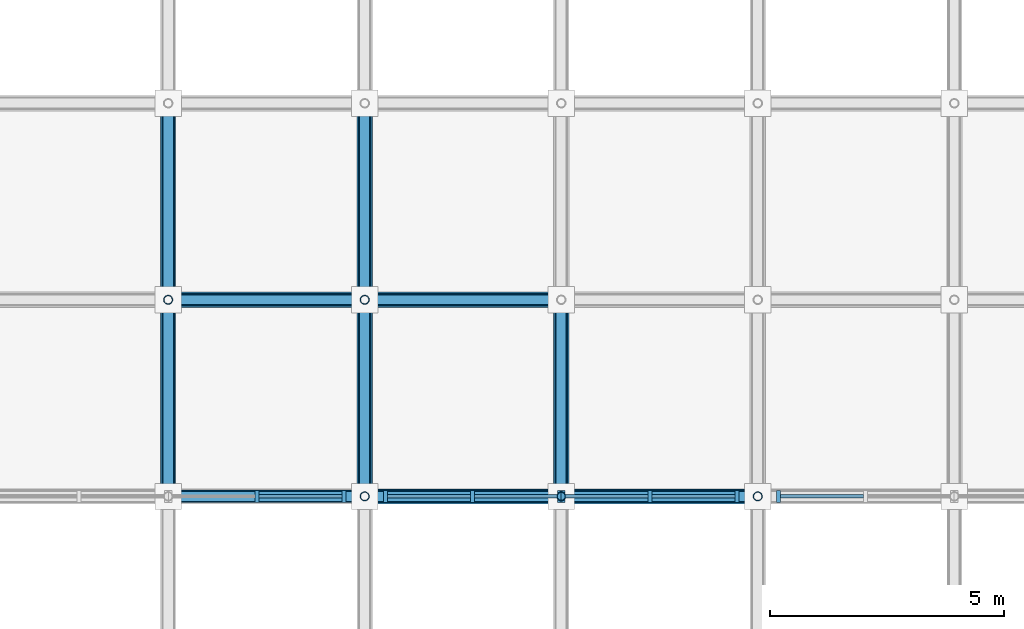
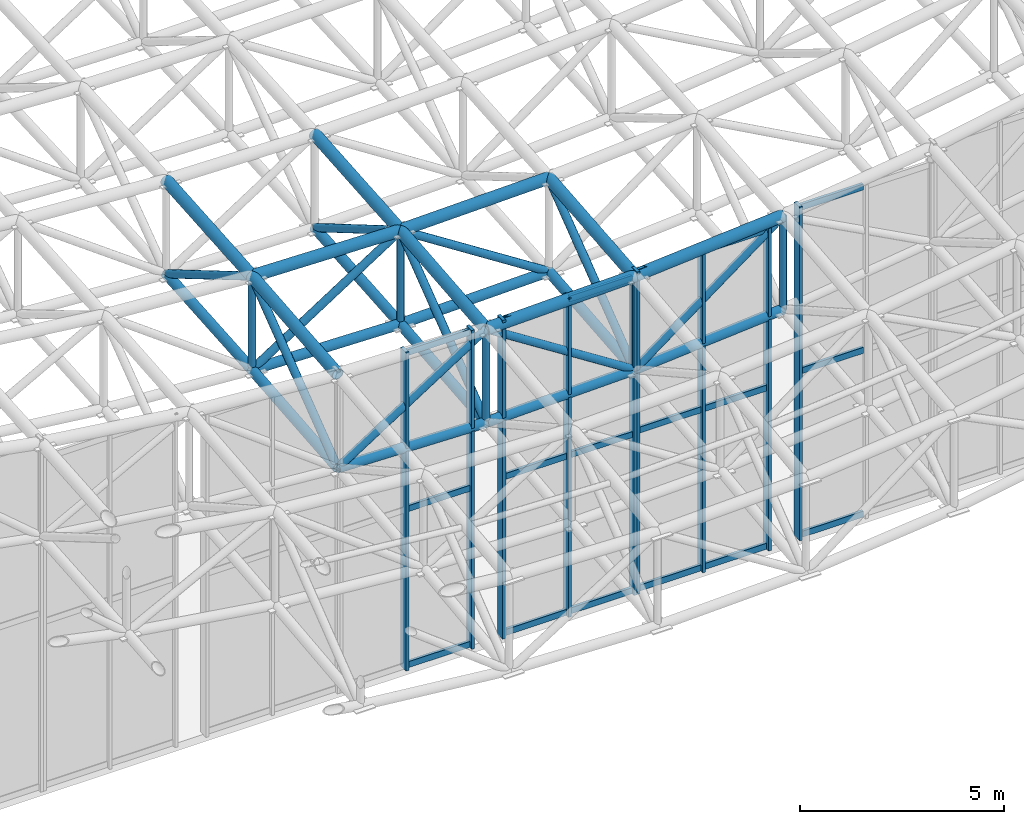
# One storey, part 14 of 93: 61 members, 4 elements without a shape of their own.
"""IFC4 building model written with IfcOpenShell, lengths in metres."""

from ifc_helpers import new_model, si_unit, direction, frame, origin, origin_2d, place, context, subcontext, project, spatial, rectangle, hollow_circle, extrude, material, material_profile, profile_set, type_object, element, aggregate, save


model = new_model("IFC4")

# Units and contexts
model_context = context("Model", 3, precision=1e-05, world=origin(), true_north=direction((0.0, 1.0)))
body_context = subcontext(model_context, "Body", "Model", "MODEL_VIEW")
ifc_project = project(units=[si_unit("LENGTHUNIT", "METRE"), si_unit("AREAUNIT", "SQUARE_METRE"), si_unit("VOLUMEUNIT", "CUBIC_METRE"), si_unit("PLANEANGLEUNIT", "RADIAN"), si_unit("MASSUNIT", "GRAM", prefix="KILO")], contexts=[model_context])

# Site, building, storey
site_placement = place(None, origin())
site = spatial("IfcSite", under=ifc_project, at=site_placement, CompositionType="ELEMENT")
building_placement = place(site_placement, origin())
building = spatial("IfcBuilding", under=site, at=building_placement, Name="Cumbredor Promenade Congress Hotel", CompositionType="ELEMENT")
storey_placement = place(building_placement, frame((0.0, 0.0, 21.840087890625)))
storey = spatial("IfcBuildingStorey", under=building, at=storey_placement, Name="L06", CompositionType="ELEMENT", Elevation=21.840087890625)

# Curtain wall, members
ifc_material_1 = material(Name="Thermally broken anodized aluminium and low-E glass", Category="aluminium")
curtain_wall_type = type_object("IfcCurtainWallType", Name="Stepped Pavilion Clerestory Curtain Wall CW-06", PredefinedType="NOTDEFINED", material=ifc_material_1)
curtain_wall_1_placement = place(storey_placement, origin())
curtain_wall_1 = element("IfcCurtainWall", 1, at=curtain_wall_1_placement, inside=storey, type_object=curtain_wall_type, Name="Plenary Congress Hall S Glazed Clerestory 6", PredefinedType="NOTDEFINED")
ifc_material_2 = material(Name="Thermally broken anodized aluminium", Category="aluminium")
ifc_material_profile_1 = material_profile(ifc_material_2, rectangle(XDim=0.0849609375, YDim=0.260009765625, at=origin_2d()), Name="ALU MULLION CLERESTORY 85x260")
ifc_profile_set_1 = profile_set([ifc_material_profile_1], Name="Thermally broken anodized aluminium")
member_type_1 = type_object("IfcMemberType", Name="Curtain Wall Mullion ML-04", PredefinedType="MULLION", material=ifc_profile_set_1)
member_1_placement = place(storey_placement, frame((31.300048828125, 8.39990234375, -0.01806640625), z_axis=(0.0, 0.0, 1.0), x_axis=(1.0, 0.0, 0.0)))
member_1 = element("IfcMember", 2, at=member_1_placement, type_object=member_type_1, Name="Plenary Congress Hall S Glazed Clerestory 6 Mullion 2", PredefinedType="MULLION", context=body_context, shape_type="SweptSolid", body=[
    extrude(rectangle(XDim=0.0849609375, YDim=0.260009765625, at=origin_2d()), origin(), (0.0, 0.0, 1.0), 9.540771484375),
])
member_2_placement = place(storey_placement, frame((33.159912109375, 8.39990234375, -0.01806640625), z_axis=(0.0, 0.0, 1.0), x_axis=(1.0, 0.0, 0.0)))
member_2 = element("IfcMember", 3, at=member_2_placement, type_object=member_type_1, Name="Plenary Congress Hall S Glazed Clerestory 6 Mullion 3", PredefinedType="MULLION", context=body_context, shape_type="SweptSolid", body=[
    extrude(rectangle(XDim=0.0849609375, YDim=0.260009765625, at=origin_2d()), origin(), (0.0, 0.0, 1.0), 9.540771484375),
])

curtain_wall_2_placement = place(storey_placement, origin())
curtain_wall_2 = element("IfcCurtainWall", 4, at=curtain_wall_2_placement, inside=storey, type_object=curtain_wall_type, Name="Plenary Congress Hall S Glazed Clerestory 7", PredefinedType="NOTDEFINED")
member_3_placement = place(storey_placement, frame((34.0400390625, 8.39990234375, -0.01806640625), z_axis=(0.0, 0.0, 1.0), x_axis=(1.0, 0.0, 0.0)))
member_3 = element("IfcMember", 5, at=member_3_placement, type_object=member_type_1, Name="Plenary Congress Hall S Glazed Clerestory 7 Mullion 1", PredefinedType="MULLION", context=body_context, shape_type="SweptSolid", body=[
    extrude(rectangle(XDim=0.0849609375, YDim=0.260009765625, at=origin_2d()), origin(), (0.0, 0.0, 1.0), 9.540771484375),
])
member_4_placement = place(storey_placement, frame((35.89990234375, 8.39990234375, -0.01806640625), z_axis=(0.0, 0.0, 1.0), x_axis=(1.0, 0.0, 0.0)))
member_4 = element("IfcMember", 6, at=member_4_placement, type_object=member_type_1, Name="Plenary Congress Hall S Glazed Clerestory 7 Mullion 2", PredefinedType="MULLION", context=body_context, shape_type="SweptSolid", body=[
    extrude(rectangle(XDim=0.0849609375, YDim=0.260009765625, at=origin_2d()), origin(), (0.0, 0.0, 1.0), 9.540771484375),
])
member_5_placement = place(storey_placement, frame((37.760009765625, 8.39990234375, -0.01806640625), z_axis=(0.0, 0.0, 1.0), x_axis=(1.0, 0.0, 0.0)))
member_5 = element("IfcMember", 7, at=member_5_placement, type_object=member_type_1, Name="Plenary Congress Hall S Glazed Clerestory 7 Mullion 3", PredefinedType="MULLION", context=body_context, shape_type="SweptSolid", body=[
    extrude(rectangle(XDim=0.0849609375, YDim=0.260009765625, at=origin_2d()), origin(), (0.0, 0.0, 1.0), 9.540771484375),
])

curtain_wall_3_placement = place(storey_placement, origin())
curtain_wall_3 = element("IfcCurtainWall", 8, at=curtain_wall_3_placement, inside=storey, type_object=curtain_wall_type, Name="Plenary Congress Hall S Glazed Clerestory 8", PredefinedType="NOTDEFINED")
member_6_placement = place(storey_placement, frame((37.840087890625, 8.39990234375, -0.01806640625), z_axis=(0.0, 0.0, 1.0), x_axis=(1.0, 0.0, 0.0)))
member_6 = element("IfcMember", 9, at=member_6_placement, type_object=member_type_1, Name="Plenary Congress Hall S Glazed Clerestory 8 Mullion 1", PredefinedType="MULLION", context=body_context, shape_type="SweptSolid", body=[
    extrude(rectangle(XDim=0.0849609375, YDim=0.260009765625, at=origin_2d()), origin(), (0.0, 0.0, 1.0), 9.652099609375),
])
member_7_placement = place(storey_placement, frame((39.699951171875, 8.39990234375, -0.01806640625), z_axis=(0.0, 0.0, 1.0), x_axis=(1.0, 0.0, 0.0)))
member_7 = element("IfcMember", 10, at=member_7_placement, type_object=member_type_1, Name="Plenary Congress Hall S Glazed Clerestory 8 Mullion 2", PredefinedType="MULLION", context=body_context, shape_type="SweptSolid", body=[
    extrude(rectangle(XDim=0.0849609375, YDim=0.260009765625, at=origin_2d()), origin(), (0.0, 0.0, 1.0), 9.652099609375),
])
member_8_placement = place(storey_placement, frame((41.56005859375, 8.39990234375, -0.01806640625), z_axis=(0.0, 0.0, 1.0), x_axis=(1.0, 0.0, 0.0)))
member_8 = element("IfcMember", 11, at=member_8_placement, type_object=member_type_1, Name="Plenary Congress Hall S Glazed Clerestory 8 Mullion 3", PredefinedType="MULLION", context=body_context, shape_type="SweptSolid", body=[
    extrude(rectangle(XDim=0.0849609375, YDim=0.260009765625, at=origin_2d()), origin(), (0.0, 0.0, 1.0), 9.652099609375),
])

# Curtain wall, member
curtain_wall_4_placement = place(storey_placement, origin())
curtain_wall_4 = element("IfcCurtainWall", 12, at=curtain_wall_4_placement, inside=storey, type_object=curtain_wall_type, Name="Plenary Congress Hall S Glazed Clerestory 9", PredefinedType="NOTDEFINED")
member_9_placement = place(storey_placement, frame((42.43994140625, 8.39990234375, -0.01806640625), z_axis=(0.0, 0.0, 1.0), x_axis=(1.0, 0.0, 0.0)))
member_9 = element("IfcMember", 13, at=member_9_placement, type_object=member_type_1, Name="Plenary Congress Hall S Glazed Clerestory 9 Mullion 1", PredefinedType="MULLION", context=body_context, shape_type="SweptSolid", body=[
    extrude(rectangle(XDim=0.0849609375, YDim=0.260009765625, at=origin_2d()), origin(), (0.0, 0.0, 1.0), 9.986328125),
])

# Member
ifc_material_profile_2 = material_profile(ifc_material_2, rectangle(XDim=0.080078125, YDim=0.179931640625, at=origin_2d()), Name="ALU TRANSOM 80x180")
ifc_profile_set_2 = profile_set([ifc_material_profile_2], Name="Thermally broken anodized aluminium")
member_type_2 = type_object("IfcMemberType", Name="Curtain Wall Transom TR-03", PredefinedType="USERDEFINED", material=ifc_profile_set_2)
member_10_placement = place(storey_placement, frame((31.342529296875, 8.39990234375, 0.079833984375), z_axis=(1.0, 0.0, 0.0), x_axis=(0.0, 1.0, 0.0)))
member_10 = element("IfcMember", 14, at=member_10_placement, type_object=member_type_2, Name="Plenary Congress Hall S Glazed Clerestory 6 Transom 2.1", ObjectType="TRANSOM", PredefinedType="USERDEFINED", context=body_context, shape_type="SweptSolid", body=[
    extrude(rectangle(XDim=0.080078125, YDim=0.179931640625, at=origin_2d()), origin(), (0.0, 0.0, 1.0), 1.77490234375),
])

member_11_placement = place(storey_placement, frame((31.342529296875, 8.39990234375, 4.75), z_axis=(1.0, 0.0, 0.0), x_axis=(0.0, 1.0, 0.0)))
member_11 = element("IfcMember", 15, at=member_11_placement, type_object=member_type_2, Name="Plenary Congress Hall S Glazed Clerestory 6 Transom 2.2", ObjectType="TRANSOM", PredefinedType="USERDEFINED", context=body_context, shape_type="SweptSolid", body=[
    extrude(rectangle(XDim=0.080078125, YDim=0.179931640625, at=origin_2d()), origin(), (0.0, 0.0, 1.0), 1.77490234375),
])

member_12_placement = place(storey_placement, frame((31.342529296875, 8.39990234375, 9.419921875), z_axis=(1.0, 0.0, 0.0), x_axis=(0.0, 1.0, 0.0)))
member_12 = element("IfcMember", 16, at=member_12_placement, type_object=member_type_2, Name="Plenary Congress Hall S Glazed Clerestory 6 Transom 2.3", ObjectType="TRANSOM", PredefinedType="USERDEFINED", context=body_context, shape_type="SweptSolid", body=[
    extrude(rectangle(XDim=0.080078125, YDim=0.179931640625, at=origin_2d()), origin(), (0.0, 0.0, 1.0), 1.77490234375),
])

aggregate(curtain_wall_1, [member_1, member_2, member_10, member_11, member_12])

member_13_placement = place(storey_placement, frame((34.08251953125, 8.39990234375, 0.079833984375), z_axis=(1.0, 0.0, 0.0), x_axis=(0.0, 1.0, 0.0)))
member_13 = element("IfcMember", 17, at=member_13_placement, type_object=member_type_2, Name="Plenary Congress Hall S Glazed Clerestory 7 Transom 1.1", ObjectType="TRANSOM", PredefinedType="USERDEFINED", context=body_context, shape_type="SweptSolid", body=[
    extrude(rectangle(XDim=0.080078125, YDim=0.179931640625, at=origin_2d()), origin(), (0.0, 0.0, 1.0), 1.77490234375),
])

member_14_placement = place(storey_placement, frame((34.08251953125, 8.39990234375, 4.75), z_axis=(1.0, 0.0, 0.0), x_axis=(0.0, 1.0, 0.0)))
member_14 = element("IfcMember", 18, at=member_14_placement, type_object=member_type_2, Name="Plenary Congress Hall S Glazed Clerestory 7 Transom 1.2", ObjectType="TRANSOM", PredefinedType="USERDEFINED", context=body_context, shape_type="SweptSolid", body=[
    extrude(rectangle(XDim=0.080078125, YDim=0.179931640625, at=origin_2d()), origin(), (0.0, 0.0, 1.0), 1.77490234375),
])

member_15_placement = place(storey_placement, frame((34.08251953125, 8.39990234375, 9.419921875), z_axis=(1.0, 0.0, 0.0), x_axis=(0.0, 1.0, 0.0)))
member_15 = element("IfcMember", 19, at=member_15_placement, type_object=member_type_2, Name="Plenary Congress Hall S Glazed Clerestory 7 Transom 1.3", ObjectType="TRANSOM", PredefinedType="USERDEFINED", context=body_context, shape_type="SweptSolid", body=[
    extrude(rectangle(XDim=0.080078125, YDim=0.179931640625, at=origin_2d()), origin(), (0.0, 0.0, 1.0), 1.77490234375),
])

member_16_placement = place(storey_placement, frame((35.9423828125, 8.39990234375, 0.079833984375), z_axis=(1.0, 0.0, 0.0), x_axis=(0.0, 1.0, 0.0)))
member_16 = element("IfcMember", 20, at=member_16_placement, type_object=member_type_2, Name="Plenary Congress Hall S Glazed Clerestory 7 Transom 2.1", ObjectType="TRANSOM", PredefinedType="USERDEFINED", context=body_context, shape_type="SweptSolid", body=[
    extrude(rectangle(XDim=0.080078125, YDim=0.179931640625, at=origin_2d()), origin(), (0.0, 0.0, 1.0), 1.775146484375),
])

member_17_placement = place(storey_placement, frame((35.9423828125, 8.39990234375, 4.75), z_axis=(1.0, 0.0, 0.0), x_axis=(0.0, 1.0, 0.0)))
member_17 = element("IfcMember", 21, at=member_17_placement, type_object=member_type_2, Name="Plenary Congress Hall S Glazed Clerestory 7 Transom 2.2", ObjectType="TRANSOM", PredefinedType="USERDEFINED", context=body_context, shape_type="SweptSolid", body=[
    extrude(rectangle(XDim=0.080078125, YDim=0.179931640625, at=origin_2d()), origin(), (0.0, 0.0, 1.0), 1.775146484375),
])

member_18_placement = place(storey_placement, frame((35.9423828125, 8.39990234375, 9.419921875), z_axis=(1.0, 0.0, 0.0), x_axis=(0.0, 1.0, 0.0)))
member_18 = element("IfcMember", 22, at=member_18_placement, type_object=member_type_2, Name="Plenary Congress Hall S Glazed Clerestory 7 Transom 2.3", ObjectType="TRANSOM", PredefinedType="USERDEFINED", context=body_context, shape_type="SweptSolid", body=[
    extrude(rectangle(XDim=0.080078125, YDim=0.179931640625, at=origin_2d()), origin(), (0.0, 0.0, 1.0), 1.775146484375),
])

aggregate(curtain_wall_2, [member_3, member_4, member_5, member_13, member_14, member_15, member_16, member_17, member_18])

member_19_placement = place(storey_placement, frame((37.882568359375, 8.39990234375, 0.079833984375), z_axis=(1.0, 0.0, 0.0), x_axis=(0.0, 1.0, 0.0)))
member_19 = element("IfcMember", 23, at=member_19_placement, type_object=member_type_2, Name="Plenary Congress Hall S Glazed Clerestory 8 Transom 1.1", ObjectType="TRANSOM", PredefinedType="USERDEFINED", context=body_context, shape_type="SweptSolid", body=[
    extrude(rectangle(XDim=0.080078125, YDim=0.179931640625, at=origin_2d()), origin(), (0.0, 0.0, 1.0), 1.77490234375),
])

member_20_placement = place(storey_placement, frame((37.882568359375, 8.39990234375, 4.809814453125), z_axis=(1.0, 0.0, 0.0), x_axis=(0.0, 1.0, 0.0)))
member_20 = element("IfcMember", 24, at=member_20_placement, type_object=member_type_2, Name="Plenary Congress Hall S Glazed Clerestory 8 Transom 1.2", ObjectType="TRANSOM", PredefinedType="USERDEFINED", context=body_context, shape_type="SweptSolid", body=[
    extrude(rectangle(XDim=0.080078125, YDim=0.179931640625, at=origin_2d()), origin(), (0.0, 0.0, 1.0), 1.77490234375),
])

member_21_placement = place(storey_placement, frame((37.882568359375, 8.39990234375, 9.539794921875), z_axis=(1.0, 0.0, 0.0), x_axis=(0.0, 1.0, 0.0)))
member_21 = element("IfcMember", 25, at=member_21_placement, type_object=member_type_2, Name="Plenary Congress Hall S Glazed Clerestory 8 Transom 1.3", ObjectType="TRANSOM", PredefinedType="USERDEFINED", context=body_context, shape_type="SweptSolid", body=[
    extrude(rectangle(XDim=0.080078125, YDim=0.179931640625, at=origin_2d()), origin(), (0.0, 0.0, 1.0), 1.77490234375),
])

member_22_placement = place(storey_placement, frame((39.742431640625, 8.39990234375, 0.079833984375), z_axis=(1.0, 0.0, 0.0), x_axis=(0.0, 1.0, 0.0)))
member_22 = element("IfcMember", 26, at=member_22_placement, type_object=member_type_2, Name="Plenary Congress Hall S Glazed Clerestory 8 Transom 2.1", ObjectType="TRANSOM", PredefinedType="USERDEFINED", context=body_context, shape_type="SweptSolid", body=[
    extrude(rectangle(XDim=0.080078125, YDim=0.179931640625, at=origin_2d()), origin(), (0.0, 0.0, 1.0), 1.775146484375),
])

member_23_placement = place(storey_placement, frame((39.742431640625, 8.39990234375, 4.809814453125), z_axis=(1.0, 0.0, 0.0), x_axis=(0.0, 1.0, 0.0)))
member_23 = element("IfcMember", 27, at=member_23_placement, type_object=member_type_2, Name="Plenary Congress Hall S Glazed Clerestory 8 Transom 2.2", ObjectType="TRANSOM", PredefinedType="USERDEFINED", context=body_context, shape_type="SweptSolid", body=[
    extrude(rectangle(XDim=0.080078125, YDim=0.179931640625, at=origin_2d()), origin(), (0.0, 0.0, 1.0), 1.775146484375),
])

member_24_placement = place(storey_placement, frame((39.742431640625, 8.39990234375, 9.539794921875), z_axis=(1.0, 0.0, 0.0), x_axis=(0.0, 1.0, 0.0)))
member_24 = element("IfcMember", 28, at=member_24_placement, type_object=member_type_2, Name="Plenary Congress Hall S Glazed Clerestory 8 Transom 2.3", ObjectType="TRANSOM", PredefinedType="USERDEFINED", context=body_context, shape_type="SweptSolid", body=[
    extrude(rectangle(XDim=0.080078125, YDim=0.179931640625, at=origin_2d()), origin(), (0.0, 0.0, 1.0), 1.775146484375),
])

aggregate(curtain_wall_3, [member_6, member_7, member_8, member_19, member_20, member_21, member_22, member_23, member_24])

member_25_placement = place(storey_placement, frame((42.482421875, 8.39990234375, 0.079833984375), z_axis=(1.0, 0.0, 0.0), x_axis=(0.0, 1.0, 0.0)))
member_25 = element("IfcMember", 29, at=member_25_placement, type_object=member_type_2, Name="Plenary Congress Hall S Glazed Clerestory 9 Transom 1.1", ObjectType="TRANSOM", PredefinedType="USERDEFINED", context=body_context, shape_type="SweptSolid", body=[
    extrude(rectangle(XDim=0.080078125, YDim=0.179931640625, at=origin_2d()), origin(), (0.0, 0.0, 1.0), 1.775146484375),
])

member_26_placement = place(storey_placement, frame((42.482421875, 8.39990234375, 4.97998046875), z_axis=(1.0, 0.0, 0.0), x_axis=(0.0, 1.0, 0.0)))
member_26 = element("IfcMember", 30, at=member_26_placement, type_object=member_type_2, Name="Plenary Congress Hall S Glazed Clerestory 9 Transom 1.2", ObjectType="TRANSOM", PredefinedType="USERDEFINED", context=body_context, shape_type="SweptSolid", body=[
    extrude(rectangle(XDim=0.080078125, YDim=0.179931640625, at=origin_2d()), origin(), (0.0, 0.0, 1.0), 1.775146484375),
])

member_27_placement = place(storey_placement, frame((42.482421875, 8.39990234375, 9.869873046875), z_axis=(1.0, 0.0, 0.0), x_axis=(0.0, 1.0, 0.0)))
member_27 = element("IfcMember", 31, at=member_27_placement, type_object=member_type_2, Name="Plenary Congress Hall S Glazed Clerestory 9 Transom 1.3", ObjectType="TRANSOM", PredefinedType="USERDEFINED", context=body_context, shape_type="SweptSolid", body=[
    extrude(rectangle(XDim=0.080078125, YDim=0.179931640625, at=origin_2d()), origin(), (0.0, 0.0, 1.0), 1.775146484375),
])

aggregate(curtain_wall_4, [member_9, member_25, member_26, member_27])

# Members
ifc_material_3 = material(Name="Steel ASTM A500 Grade C", Category="steel")
ifc_material_profile_3 = material_profile(ifc_material_3, hollow_circle(Radius=0.136474609375, WallThickness=0.01611328125, at=origin_2d()), Name="CHS 273.0x16")
ifc_profile_set_3 = profile_set([ifc_material_profile_3], Name="Steel ASTM A500 Grade C")
member_type_3 = type_object("IfcMemberType", Name="Plenary Roof Space Frame Bottom Chord", PredefinedType="CHORD", material=ifc_profile_set_3)
member_28_placement = place(storey_placement, frame((29.39990234375, 8.39990234375, 6.64599609375), z_axis=(0.999650452522, 0.0, -0.026438093228), x_axis=(0.0, 1.0, 0.0)))
element("IfcMember", 32, at=member_28_placement, inside=storey, type_object=member_type_3, Name="Plenary Congress Hall X Bottom Chord 9.3", PredefinedType="CHORD", context=body_context, shape_type="SweptSolid", body=[
    extrude(hollow_circle(Radius=0.136474609375, WallThickness=0.01611328125, at=origin_2d()), origin(), (0.0, 0.0, 1.0), 4.20166015625),
])
member_29_placement = place(storey_placement, frame((33.60009765625, 8.39990234375, 6.534912109375), z_axis=(0.999650411904, 0.0, 0.026439628984), x_axis=(0.0, 1.0, 0.0)))
element("IfcMember", 33, at=member_29_placement, inside=storey, type_object=member_type_3, Name="Plenary Congress Hall X Bottom Chord 10.3", PredefinedType="CHORD", context=body_context, shape_type="SweptSolid", body=[
    extrude(hollow_circle(Radius=0.136474609375, WallThickness=0.01611328125, at=origin_2d()), origin(), (0.0, 0.0, 1.0), 4.201416015625),
])
member_30_placement = place(storey_placement, frame((37.800048828125, 8.39990234375, 6.64599609375), z_axis=(0.996848540379, 0.0, 0.079328352716), x_axis=(0.0, 1.0, 0.0)))
element("IfcMember", 34, at=member_30_placement, inside=storey, type_object=member_type_3, Name="Plenary Congress Hall X Bottom Chord 11.3", PredefinedType="CHORD", context=body_context, shape_type="SweptSolid", body=[
    extrude(hollow_circle(Radius=0.136474609375, WallThickness=0.01611328125, at=origin_2d()), origin(), (0.0, 0.0, 1.0), 4.213134765625),
])
member_31_placement = place(storey_placement, frame((29.39990234375, 12.60009765625, 7.03271484375), z_axis=(0.999723024905, 0.0, -0.023534516687), x_axis=(0.0, 1.0, 0.0)))
element("IfcMember", 35, at=member_31_placement, inside=storey, type_object=member_type_3, Name="Plenary Congress Hall X Bottom Chord 9.4", PredefinedType="CHORD", context=body_context, shape_type="SweptSolid", body=[
    extrude(hollow_circle(Radius=0.136474609375, WallThickness=0.01611328125, at=origin_2d()), origin(), (0.0, 0.0, 1.0), 4.201416015625),
])
member_32_placement = place(storey_placement, frame((33.60009765625, 12.60009765625, 6.933837890625), z_axis=(0.999722992716, 0.0, 0.023535883977), x_axis=(0.0, 1.0, 0.0)))
element("IfcMember", 36, at=member_32_placement, inside=storey, type_object=member_type_3, Name="Plenary Congress Hall X Bottom Chord 10.4", PredefinedType="CHORD", context=body_context, shape_type="SweptSolid", body=[
    extrude(hollow_circle(Radius=0.136474609375, WallThickness=0.01611328125, at=origin_2d()), origin(), (0.0, 0.0, 1.0), 4.201171875),
])
member_33_placement = place(storey_placement, frame((29.39990234375, 8.39990234375, 6.64599609375), z_axis=(0.0, 0.995788168707, 0.09168382116), x_axis=(-1.0, 0.0, 0.0)))
element("IfcMember", 37, at=member_33_placement, inside=storey, type_object=member_type_3, Name="Plenary Congress Hall Y Bottom Chord 9.3", PredefinedType="CHORD", context=body_context, shape_type="SweptSolid", body=[
    extrude(hollow_circle(Radius=0.136474609375, WallThickness=0.01611328125, at=origin_2d()), origin(), (0.0, 0.0, 1.0), 4.218017578125),
])
member_34_placement = place(storey_placement, frame((29.39990234375, 12.60009765625, 7.03271484375), z_axis=(0.0, 0.997069127511, 0.076505914568), x_axis=(-1.0, 0.0, 0.0)))
element("IfcMember", 38, at=member_34_placement, inside=storey, type_object=member_type_3, Name="Plenary Congress Hall Y Bottom Chord 9.4", PredefinedType="CHORD", context=body_context, shape_type="SweptSolid", body=[
    extrude(hollow_circle(Radius=0.136474609375, WallThickness=0.01611328125, at=origin_2d()), origin(), (0.0, 0.0, 1.0), 4.21240234375),
])
member_35_placement = place(storey_placement, frame((33.60009765625, 8.39990234375, 6.534912109375), z_axis=(0.0, 0.995519886093, 0.094552400249), x_axis=(-1.0, 0.0, 0.0)))
element("IfcMember", 39, at=member_35_placement, inside=storey, type_object=member_type_3, Name="Plenary Congress Hall Y Bottom Chord 10.3", PredefinedType="CHORD", context=body_context, shape_type="SweptSolid", body=[
    extrude(hollow_circle(Radius=0.136474609375, WallThickness=0.01611328125, at=origin_2d()), origin(), (0.0, 0.0, 1.0), 4.218994140625),
])
member_36_placement = place(storey_placement, frame((33.60009765625, 12.60009765625, 6.933837890625), z_axis=(0.0, 0.996880535945, 0.078925262452), x_axis=(-1.0, 0.0, 0.0)))
element("IfcMember", 40, at=member_36_placement, inside=storey, type_object=member_type_3, Name="Plenary Congress Hall Y Bottom Chord 10.4", PredefinedType="CHORD", context=body_context, shape_type="SweptSolid", body=[
    extrude(hollow_circle(Radius=0.136474609375, WallThickness=0.01611328125, at=origin_2d()), origin(), (0.0, 0.0, 1.0), 4.213134765625),
])
member_37_placement = place(storey_placement, frame((37.800048828125, 8.39990234375, 6.64599609375), z_axis=(0.0, 0.995788168707, 0.09168382116), x_axis=(-1.0, 0.0, 0.0)))
element("IfcMember", 41, at=member_37_placement, inside=storey, type_object=member_type_3, Name="Plenary Congress Hall Y Bottom Chord 11.3", PredefinedType="CHORD", context=body_context, shape_type="SweptSolid", body=[
    extrude(hollow_circle(Radius=0.136474609375, WallThickness=0.01611328125, at=origin_2d()), origin(), (0.0, 0.0, 1.0), 4.218017578125),
])
ifc_material_profile_4 = material_profile(ifc_material_3, hollow_circle(Radius=0.161865234375, WallThickness=0.01611328125, at=origin_2d()), Name="CHS 323.9x16")
ifc_profile_set_4 = profile_set([ifc_material_profile_4], Name="Steel ASTM A500 Grade C")
member_type_4 = type_object("IfcMemberType", Name="Plenary Roof Space Frame Top Chord", PredefinedType="CHORD", material=ifc_profile_set_4)
member_38_placement = place(storey_placement, frame((33.60009765625, 8.39990234375, 9.334716796875), z_axis=(0.999648874374, 0.0, 0.026497697304), x_axis=(0.0, 1.0, 0.0)))
element("IfcMember", 42, at=member_38_placement, inside=storey, type_object=member_type_4, Name="Plenary Congress Hall X Top Chord 10.3", PredefinedType="CHORD", context=body_context, shape_type="SweptSolid", body=[
    extrude(hollow_circle(Radius=0.161865234375, WallThickness=0.01611328125, at=origin_2d()), origin(), (0.0, 0.0, 1.0), 4.201416015625),
])
member_39_placement = place(storey_placement, frame((37.800048828125, 8.39990234375, 9.446044921875), z_axis=(0.996848540379, 0.0, 0.079328352716), x_axis=(0.0, 1.0, 0.0)))
element("IfcMember", 43, at=member_39_placement, inside=storey, type_object=member_type_4, Name="Plenary Congress Hall X Top Chord 11.3", PredefinedType="CHORD", context=body_context, shape_type="SweptSolid", body=[
    extrude(hollow_circle(Radius=0.161865234375, WallThickness=0.01611328125, at=origin_2d()), origin(), (0.0, 0.0, 1.0), 4.213134765625),
])
member_40_placement = place(storey_placement, frame((29.39990234375, 12.60009765625, 9.832763671875), z_axis=(0.999723024905, 0.0, -0.023534516687), x_axis=(0.0, 1.0, 0.0)))
element("IfcMember", 44, at=member_40_placement, inside=storey, type_object=member_type_4, Name="Plenary Congress Hall X Top Chord 9.4", PredefinedType="CHORD", context=body_context, shape_type="SweptSolid", body=[
    extrude(hollow_circle(Radius=0.161865234375, WallThickness=0.01611328125, at=origin_2d()), origin(), (0.0, 0.0, 1.0), 4.201416015625),
])
member_41_placement = place(storey_placement, frame((33.60009765625, 12.60009765625, 9.73388671875), z_axis=(0.999722992716, 0.0, 0.023535883977), x_axis=(0.0, 1.0, 0.0)))
element("IfcMember", 45, at=member_41_placement, inside=storey, type_object=member_type_4, Name="Plenary Congress Hall X Top Chord 10.4", PredefinedType="CHORD", context=body_context, shape_type="SweptSolid", body=[
    extrude(hollow_circle(Radius=0.161865234375, WallThickness=0.01611328125, at=origin_2d()), origin(), (0.0, 0.0, 1.0), 4.201171875),
])
member_42_placement = place(storey_placement, frame((29.39990234375, 8.39990234375, 9.446044921875), z_axis=(0.0, 0.995788168707, 0.09168382116), x_axis=(-1.0, 0.0, 0.0)))
element("IfcMember", 46, at=member_42_placement, inside=storey, type_object=member_type_4, Name="Plenary Congress Hall Y Top Chord 9.3", PredefinedType="CHORD", context=body_context, shape_type="SweptSolid", body=[
    extrude(hollow_circle(Radius=0.161865234375, WallThickness=0.01611328125, at=origin_2d()), origin(), (0.0, 0.0, 1.0), 4.218017578125),
])
member_43_placement = place(storey_placement, frame((29.39990234375, 12.60009765625, 9.832763671875), z_axis=(0.0, 0.997069127511, 0.076505914568), x_axis=(-1.0, 0.0, 0.0)))
element("IfcMember", 47, at=member_43_placement, inside=storey, type_object=member_type_4, Name="Plenary Congress Hall Y Top Chord 9.4", PredefinedType="CHORD", context=body_context, shape_type="SweptSolid", body=[
    extrude(hollow_circle(Radius=0.161865234375, WallThickness=0.01611328125, at=origin_2d()), origin(), (0.0, 0.0, 1.0), 4.21240234375),
])
member_44_placement = place(storey_placement, frame((33.60009765625, 8.39990234375, 9.334716796875), z_axis=(0.0, 0.995514437652, 0.094609748056), x_axis=(-1.0, 0.0, 0.0)))
element("IfcMember", 48, at=member_44_placement, inside=storey, type_object=member_type_4, Name="Plenary Congress Hall Y Top Chord 10.3", PredefinedType="CHORD", context=body_context, shape_type="SweptSolid", body=[
    extrude(hollow_circle(Radius=0.161865234375, WallThickness=0.01611328125, at=origin_2d()), origin(), (0.0, 0.0, 1.0), 4.21923828125),
])
member_45_placement = place(storey_placement, frame((33.60009765625, 12.60009765625, 9.73388671875), z_axis=(0.0, 0.996880535945, 0.078925262452), x_axis=(-1.0, 0.0, 0.0)))
element("IfcMember", 49, at=member_45_placement, inside=storey, type_object=member_type_4, Name="Plenary Congress Hall Y Top Chord 10.4", PredefinedType="CHORD", context=body_context, shape_type="SweptSolid", body=[
    extrude(hollow_circle(Radius=0.161865234375, WallThickness=0.01611328125, at=origin_2d()), origin(), (0.0, 0.0, 1.0), 4.213134765625),
])
member_46_placement = place(storey_placement, frame((37.800048828125, 8.39990234375, 9.446044921875), z_axis=(0.0, 0.995788168707, 0.09168382116), x_axis=(-1.0, 0.0, 0.0)))
element("IfcMember", 50, at=member_46_placement, inside=storey, type_object=member_type_4, Name="Plenary Congress Hall Y Top Chord 11.3", PredefinedType="CHORD", context=body_context, shape_type="SweptSolid", body=[
    extrude(hollow_circle(Radius=0.161865234375, WallThickness=0.01611328125, at=origin_2d()), origin(), (0.0, 0.0, 1.0), 4.218017578125),
])
ifc_material_profile_5 = material_profile(ifc_material_3, hollow_circle(Radius=0.109619140625, WallThickness=0.012451171875, at=origin_2d()), Name="CHS 219.1x12.5")
ifc_profile_set_5 = profile_set([ifc_material_profile_5], Name="Steel ASTM A500 Grade C")
member_type_5 = type_object("IfcMemberType", Name="Space Frame Web Diagonal D1", PredefinedType="BRACE", material=ifc_profile_set_5)
member_47_placement = place(storey_placement, frame((29.39990234375, 8.39990234375, 6.64599609375), z_axis=(0.842217162783, 0.0, 0.53913843372), x_axis=(0.0, 1.0, 0.0)))
element("IfcMember", 51, at=member_47_placement, inside=storey, type_object=member_type_5, Name="Plenary Congress Hall X Web Diagonal 9.3", PredefinedType="BRACE", context=body_context, shape_type="SweptSolid", body=[
    extrude(hollow_circle(Radius=0.109619140625, WallThickness=0.012451171875, at=origin_2d()), origin(), (0.0, 0.0, 1.0), 4.987060546875),
])
member_48_placement = place(storey_placement, frame((33.60009765625, 8.39990234375, 9.334716796875), z_axis=(0.842202932219, 0.0, -0.539160663403), x_axis=(0.0, 1.0, 0.0)))
element("IfcMember", 52, at=member_48_placement, inside=storey, type_object=member_type_5, Name="Plenary Congress Hall X Web Diagonal 10.3", PredefinedType="BRACE", context=body_context, shape_type="SweptSolid", body=[
    extrude(hollow_circle(Radius=0.109619140625, WallThickness=0.012451171875, at=origin_2d()), origin(), (0.0, 0.0, 1.0), 4.98681640625),
])
member_49_placement = place(storey_placement, frame((37.800048828125, 8.39990234375, 6.64599609375), z_axis=(0.801434446423, 0.0, 0.598082626471), x_axis=(0.0, 1.0, 0.0)))
element("IfcMember", 53, at=member_49_placement, inside=storey, type_object=member_type_5, Name="Plenary Congress Hall X Web Diagonal 11.3", PredefinedType="BRACE", context=body_context, shape_type="SweptSolid", body=[
    extrude(hollow_circle(Radius=0.109619140625, WallThickness=0.012451171875, at=origin_2d()), origin(), (0.0, 0.0, 1.0), 5.240478515625),
])
member_50_placement = place(storey_placement, frame((29.39990234375, 12.60009765625, 7.03271484375), z_axis=(0.841083155599, 0.0, 0.540905837802), x_axis=(0.0, 1.0, 0.0)))
element("IfcMember", 54, at=member_50_placement, inside=storey, type_object=member_type_5, Name="Plenary Congress Hall X Web Diagonal 9.4", PredefinedType="BRACE", context=body_context, shape_type="SweptSolid", body=[
    extrude(hollow_circle(Radius=0.109619140625, WallThickness=0.012451171875, at=origin_2d()), origin(), (0.0, 0.0, 1.0), 4.993896484375),
])
member_51_placement = place(storey_placement, frame((33.60009765625, 12.60009765625, 9.73388671875), z_axis=(0.84106885087, 0.0, -0.540928080336), x_axis=(0.0, 1.0, 0.0)))
element("IfcMember", 55, at=member_51_placement, inside=storey, type_object=member_type_5, Name="Plenary Congress Hall X Web Diagonal 10.4", PredefinedType="BRACE", context=body_context, shape_type="SweptSolid", body=[
    extrude(hollow_circle(Radius=0.109619140625, WallThickness=0.012451171875, at=origin_2d()), origin(), (0.0, 0.0, 1.0), 4.99365234375),
])
member_52_placement = place(storey_placement, frame((29.39990234375, 8.39990234375, 6.64599609375), z_axis=(0.0, 0.796653595247, 0.604436141523), x_axis=(-1.0, 0.0, 0.0)))
element("IfcMember", 56, at=member_52_placement, inside=storey, type_object=member_type_5, Name="Plenary Congress Hall Y Web Diagonal 9.3", PredefinedType="BRACE", context=body_context, shape_type="SweptSolid", body=[
    extrude(hollow_circle(Radius=0.109619140625, WallThickness=0.012451171875, at=origin_2d()), origin(), (0.0, 0.0, 1.0), 5.272216796875),
])
member_53_placement = place(storey_placement, frame((29.39990234375, 12.60009765625, 9.832763671875), z_axis=(0.0, 0.861286129012, -0.508120265264), x_axis=(-1.0, 0.0, 0.0)))
element("IfcMember", 57, at=member_53_placement, inside=storey, type_object=member_type_5, Name="Plenary Congress Hall Y Web Diagonal 9.4", PredefinedType="BRACE", context=body_context, shape_type="SweptSolid", body=[
    extrude(hollow_circle(Radius=0.109619140625, WallThickness=0.012451171875, at=origin_2d()), origin(), (0.0, 0.0, 1.0), 4.87646484375),
])
member_54_placement = place(storey_placement, frame((33.60009765625, 8.39990234375, 6.534912109375), z_axis=(0.0, 0.795538918889, 0.605902490944), x_axis=(-1.0, 0.0, 0.0)))
element("IfcMember", 58, at=member_54_placement, inside=storey, type_object=member_type_5, Name="Plenary Congress Hall Y Web Diagonal 10.3", PredefinedType="BRACE", context=body_context, shape_type="SweptSolid", body=[
    extrude(hollow_circle(Radius=0.109619140625, WallThickness=0.012451171875, at=origin_2d()), origin(), (0.0, 0.0, 1.0), 5.27978515625),
])
member_55_placement = place(storey_placement, frame((33.60009765625, 12.60009765625, 9.73388671875), z_axis=(0.0, 0.862205947731, -0.506557897676), x_axis=(-1.0, 0.0, 0.0)))
element("IfcMember", 59, at=member_55_placement, inside=storey, type_object=member_type_5, Name="Plenary Congress Hall Y Web Diagonal 10.4", PredefinedType="BRACE", context=body_context, shape_type="SweptSolid", body=[
    extrude(hollow_circle(Radius=0.109619140625, WallThickness=0.012451171875, at=origin_2d()), origin(), (0.0, 0.0, 1.0), 4.87109375),
])
member_56_placement = place(storey_placement, frame((37.800048828125, 8.39990234375, 6.64599609375), z_axis=(0.0, 0.796653595247, 0.604436141523), x_axis=(-1.0, 0.0, 0.0)))
element("IfcMember", 60, at=member_56_placement, inside=storey, type_object=member_type_5, Name="Plenary Congress Hall Y Web Diagonal 11.3", PredefinedType="BRACE", context=body_context, shape_type="SweptSolid", body=[
    extrude(hollow_circle(Radius=0.109619140625, WallThickness=0.012451171875, at=origin_2d()), origin(), (0.0, 0.0, 1.0), 5.272216796875),
])
ifc_material_profile_6 = material_profile(ifc_material_3, hollow_circle(Radius=0.096923828125, WallThickness=0.010009765625, at=origin_2d()), Name="CHS 193.7x10")
ifc_profile_set_6 = profile_set([ifc_material_profile_6], Name="Steel ASTM A500 Grade C")
member_type_6 = type_object("IfcMemberType", Name="Space Frame Web Post P1", PredefinedType="BRACE", material=ifc_profile_set_6)
member_57_placement = place(storey_placement, frame((29.39990234375, 12.60009765625, 7.03271484375), z_axis=(0.0, 0.0, 1.0), x_axis=(1.0, 0.0, 0.0)))
element("IfcMember", 61, at=member_57_placement, inside=storey, type_object=member_type_6, Name="Plenary Congress Hall Space Frame Web Post 9.4", PredefinedType="BRACE", context=body_context, shape_type="SweptSolid", body=[
    extrude(hollow_circle(Radius=0.096923828125, WallThickness=0.010009765625, at=origin_2d()), origin(), (0.0, 0.0, 1.0), 2.800048828125),
])
member_58_placement = place(storey_placement, frame((33.60009765625, 8.39990234375, 6.534912109375), z_axis=(0.0, 0.0, 1.0), x_axis=(1.0, 0.0, 0.0)))
element("IfcMember", 62, at=member_58_placement, inside=storey, type_object=member_type_6, Name="Plenary Congress Hall Space Frame Web Post 10.3", PredefinedType="BRACE", context=body_context, shape_type="SweptSolid", body=[
    extrude(hollow_circle(Radius=0.096923828125, WallThickness=0.010009765625, at=origin_2d()), origin(), (0.0, 0.0, 1.0), 2.7998046875),
])
for number, where, z_axis, x_axis, name in (
    (63, (33.60009765625, 12.60009765625, 6.933837890625), (0.0, 0.0, 1.0), (1.0, 0.0, 0.0), "Plenary Congress Hall Space Frame Web Post 10.4"),
    (64, (37.800048828125, 8.39990234375, 6.64599609375), (0.0, 0.0, 1.0), (1.0, 0.0, 0.0), "Plenary Congress Hall Space Frame Web Post 11.3"),
    (65, (42.0, 8.39990234375, 6.980224609375), (0.0, 0.0, 1.0), (1.0, 0.0, 0.0), "Plenary Congress Hall Space Frame Web Post 12.3"),
):
    element("IfcMember", number, at=place(storey_placement, frame(where, z_axis=z_axis, x_axis=x_axis)), inside=storey, type_object=member_type_6, Name=name, PredefinedType="BRACE", context=body_context, shape_type="SweptSolid", body=[
        extrude(hollow_circle(Radius=0.096923828125, WallThickness=0.010009765625, at=origin_2d()), origin(), (0.0, 0.0, 1.0), 2.800048828125),
    ])

save(model, "model.ifc")
